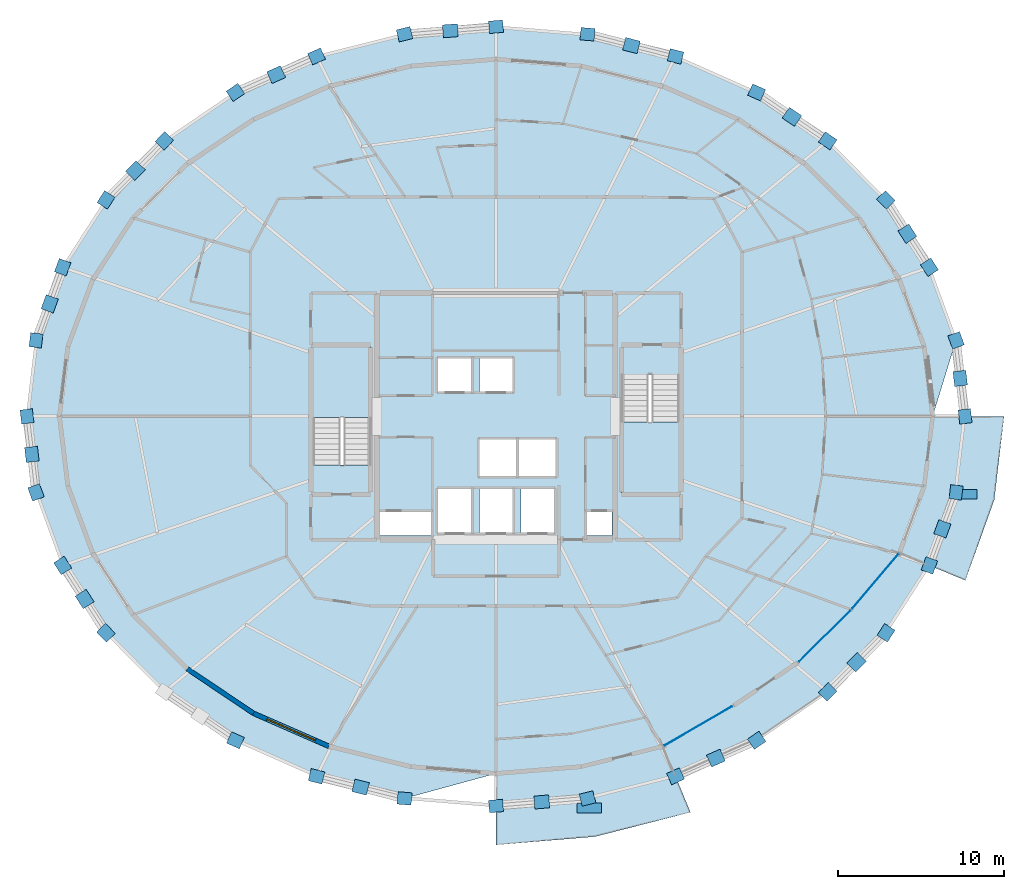
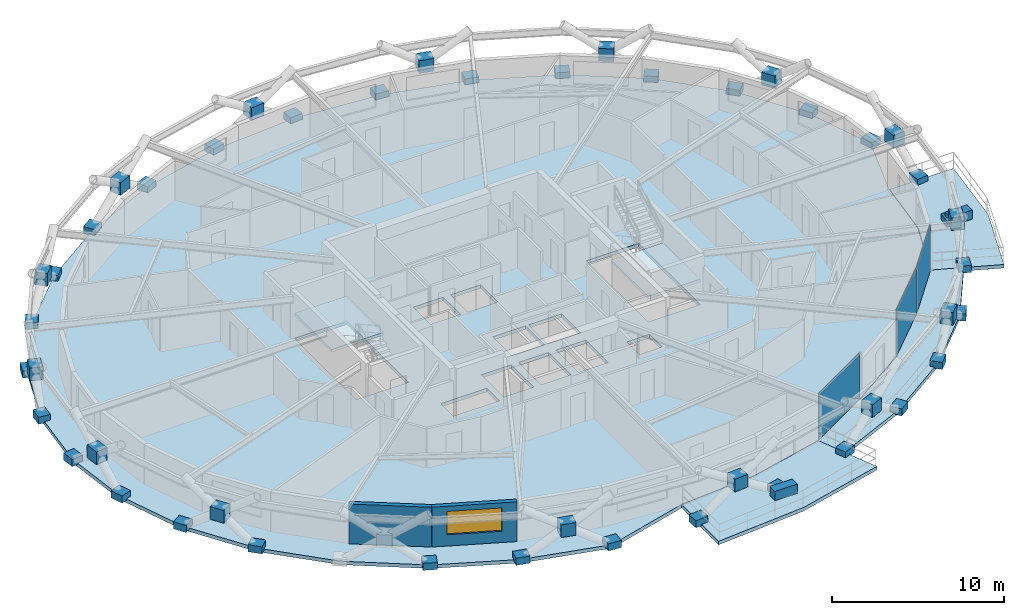
# One storey, part 8 of 14: 51 plates, 6 slabs, 2 walls, 1 window, 1 opening, 4 elements without a shape of their own.
"""IFC4 building model written with IfcOpenShell, lengths in metres."""

from ifc_helpers import new_model, si_unit, direction, frame, frame_2d, origin, origin_2d, place, context, subcontext, project, spatial, polyline, rectangle, outline, extrude, material, layer, layer_set, type_object, element, fill, aggregate, save


model = new_model("IFC4")

# Units and contexts
model_context = context("Model", 3, precision=1e-05, world=origin(), true_north=direction((0.0, 1.0)))
body_context = subcontext(model_context, "Body", "Model", "MODEL_VIEW")
ifc_project = project(units=[si_unit("LENGTHUNIT", "METRE"), si_unit("AREAUNIT", "SQUARE_METRE"), si_unit("VOLUMEUNIT", "CUBIC_METRE"), si_unit("PLANEANGLEUNIT", "RADIAN"), si_unit("MASSUNIT", "GRAM", prefix="KILO")], contexts=[model_context])

# Site, building, storey
site_placement = place(None, origin())
site = spatial("IfcSite", under=ifc_project, at=site_placement, CompositionType="ELEMENT")
building_placement = place(site_placement, origin())
building = spatial("IfcBuilding", under=site, at=building_placement, Name="Veldorina Hangang Commons", CompositionType="ELEMENT")
storey_placement = place(building_placement, frame((0.0, 0.0, 149.60009765625)))
storey = spatial("IfcBuildingStorey", under=building, at=storey_placement, Name="L38", CompositionType="ELEMENT", Elevation=149.60009765625)

# Curtain wall, plate
ifc_material_1 = material(Name="Glass Low-E Triple IGU", Category="glass")
ifc_layer_1 = layer(ifc_material_1, 0.179931640625)
ifc_layer_set_1 = layer_set([ifc_layer_1], Name="Glass Low-E Triple IGU")
curtain_wall_type = type_object("IfcCurtainWallType", Name="CW-SYS-Z2", PredefinedType="NOTDEFINED", material=ifc_layer_set_1)
curtain_wall_1_placement = place(storey_placement, origin())
curtain_wall_1 = element("IfcCurtainWall", 1, at=curtain_wall_1_placement, inside=storey, type_object=curtain_wall_type, Name="L38 unitised curtain wall CW-L38-R1", PredefinedType="NOTDEFINED")
ifc_layer_2 = layer(ifc_material_1, 0.0400390625)
ifc_layer_set_2 = layer_set([ifc_layer_2], Name="Glass Low-E Triple IGU")
plate_type_1 = type_object("IfcPlateType", Name="CW-PNL-VIS", PredefinedType="CURTAIN_PANEL", material=ifc_layer_set_2)
plate_1_placement = place(storey_placement, frame((44.21337890625, 5.30322265625, 0.0146484375), z_axis=(0.0, 0.0, 1.0), x_axis=(0.865440126505, 0.501012362557, 0.0)))
plate_1 = element("IfcPlate", 2, at=plate_1_placement, type_object=plate_type_1, Name="CW-L38-R1 facet 1 glazed vision panel", PredefinedType="CURTAIN_PANEL", context=body_context, shape_type="SweptSolid", body=[
    extrude(rectangle(XDim=4.727294921875, YDim=0.0400390625, at=origin_2d()), origin(), (0.0, 0.0, 1.0), 3.280029296875),
])
aggregate(curtain_wall_1, [plate_1])

# Curtain wall, plates
curtain_wall_2_placement = place(storey_placement, origin())
curtain_wall_2 = element("IfcCurtainWall", 3, at=curtain_wall_2_placement, inside=storey, type_object=curtain_wall_type, Name="L38 unitised curtain wall CW-L38-R2", PredefinedType="NOTDEFINED")
plate_2_placement = place(storey_placement, frame((51.85205078125, 10.73681640625, 0.0146484375), z_axis=(0.0, 0.0, 1.0), x_axis=(0.709939584863, 0.704262583022, 0.0)))
plate_2 = element("IfcPlate", 4, at=plate_2_placement, type_object=plate_type_1, Name="CW-L38-R2 facet 1 glazed vision panel", PredefinedType="CURTAIN_PANEL", context=body_context, shape_type="SweptSolid", body=[
    extrude(rectangle(XDim=4.34033203125, YDim=0.0400390625, at=origin_2d()), origin(), (0.0, 0.0, 1.0), 3.280029296875),
])
plate_3_placement = place(storey_placement, frame((54.90771484375, 14.037353515625, 0.0146484375), z_axis=(0.0, 0.0, 1.0), x_axis=(0.647268850452, 0.762261789174, 0.0)))
plate_3 = element("IfcPlate", 5, at=plate_3_placement, type_object=plate_type_1, Name="CW-L38-R2 facet 2 glazed vision panel", PredefinedType="CURTAIN_PANEL", context=body_context, shape_type="SweptSolid", body=[
    extrude(rectangle(XDim=4.3037109375, YDim=0.0400390625, at=origin_2d()), origin(), (0.0, 0.0, 1.0), 3.280029296875),
])
aggregate(curtain_wall_2, [plate_2, plate_3])

# Plates
ifc_material_2 = material(Name="Steel SM460-TMC", Category="steel")
ifc_layer_3 = layer(ifc_material_2, 0.035888671875)
ifc_layer_set_3 = layer_set([ifc_layer_3], Name="Steel SM460-TMC")
plate_type_2 = type_object("IfcPlateType", Name="PL-STAR-36", PredefinedType="USERDEFINED", material=ifc_layer_set_3)
plate_4_placement = place(storey_placement, frame((60.32568359375, 24.0, -0.090087890625), z_axis=(0.0, 0.0, 1.0), x_axis=(-0.117762714516, 0.993041763004, 0.0)))
element("IfcPlate", 6, at=plate_4_placement, inside=storey, type_object=plate_type_2, Name="L38 diagrid star-node gusset plate 00", ObjectType="GUSSET PLATE", PredefinedType="USERDEFINED", context=body_context, shape_type="SweptSolid", body=[
    extrude(rectangle(XDim=0.85009765625, YDim=0.75, at=origin_2d()), origin(), (0.0, 0.0, 1.0), 0.5),
])
plate_5_placement = place(storey_placement, frame((60.03125, 26.29345703125, 1.35107421875), z_axis=(0.0, 0.0, 1.0), x_axis=(-0.117762714516, 0.993041763004, 0.0)))
element("IfcPlate", 7, at=plate_5_placement, inside=storey, type_object=plate_type_2, Name="L38 diagrid X-crossing star-node gusset plate 00", ObjectType="GUSSET PLATE", PredefinedType="USERDEFINED", context=body_context, shape_type="SweptSolid", body=[
    extrude(rectangle(XDim=0.89990234375, YDim=0.780029296875, at=origin_2d()), origin(), (0.0, 0.0, 1.0), 0.89990234375),
])
for number, where, z_axis, x_axis, name in (
    (8, (59.781494140625, 28.590087890625, -0.090087890625), (0.0, 0.0, 1.0), (-0.343036788155, 0.93932196928, 0.0), "L38 diagrid star-node gusset plate 01"),
    (9, (58.169677734375, 33.00390625, -0.090087890625), (0.0, 0.0, 1.0), (-0.541150606301, 0.840925693091, 0.0), "L38 diagrid star-node gusset plate 02"),
):
    element("IfcPlate", number, at=place(storey_placement, frame(where, z_axis=z_axis, x_axis=x_axis)), inside=storey, type_object=plate_type_2, Name=name, ObjectType="GUSSET PLATE", PredefinedType="USERDEFINED", context=body_context, shape_type="SweptSolid", body=[
        extrude(rectangle(XDim=0.85009765625, YDim=0.75, at=origin_2d()), origin(), (0.0, 0.0, 1.0), 0.5),
    ])
plate_6_placement = place(storey_placement, frame((56.841064453125, 35.0302734375, 1.351318359375), z_axis=(0.0, 0.0, 1.0), x_axis=(-0.541150606301, 0.840925693091, 0.0)))
element("IfcPlate", 10, at=plate_6_placement, inside=storey, type_object=plate_type_2, Name="L38 diagrid X-crossing star-node gusset plate 02", ObjectType="GUSSET PLATE", PredefinedType="USERDEFINED", context=body_context, shape_type="SweptSolid", body=[
    extrude(rectangle(XDim=0.89990234375, YDim=0.780029296875, at=origin_2d()), origin(), (0.0, 0.0, 1.0), 0.89990234375),
])
for number, where, z_axis, x_axis, name in (
    (11, (55.552001953125, 37.071533203125, -0.090087890625), (0.0, 0.0, 1.0), (-0.702836225322, 0.711351699496, 0.0), "L38 diagrid star-node gusset plate 03"),
    (12, (52.029296875, 40.63671875, -0.090087890625), (0.0, 0.0, 1.0), (-0.826285121385, 0.563252073389, 0.0), "L38 diagrid star-node gusset plate 04"),
):
    element("IfcPlate", number, at=place(storey_placement, frame(where, z_axis=z_axis, x_axis=x_axis)), inside=storey, type_object=plate_type_2, Name=name, ObjectType="GUSSET PLATE", PredefinedType="USERDEFINED", context=body_context, shape_type="SweptSolid", body=[
        extrude(rectangle(XDim=0.85009765625, YDim=0.75, at=origin_2d()), origin(), (0.0, 0.0, 1.0), 0.5),
    ])
plate_7_placement = place(storey_placement, frame((49.868896484375, 42.087890625, 1.351318359375), z_axis=(0.0, 0.0, 1.0), x_axis=(-0.826285121385, 0.563252073389, 0.0)))
element("IfcPlate", 13, at=plate_7_placement, inside=storey, type_object=plate_type_2, Name="L38 diagrid X-crossing star-node gusset plate 04", ObjectType="GUSSET PLATE", PredefinedType="USERDEFINED", context=body_context, shape_type="SweptSolid", body=[
    extrude(rectangle(XDim=0.89990234375, YDim=0.780029296875, at=origin_2d()), origin(), (0.0, 0.0, 1.0), 0.89990234375),
])
for number, where, z_axis, x_axis, name in (
    (14, (47.737060546875, 43.562744140625, -0.090087890625), (0.0, 0.0, 1.0), (-0.913970890274, 0.405779757666, 0.0), "L38 diagrid star-node gusset plate 05"),
    (15, (42.83984375, 45.737060546875, -0.090087890625), (0.0, 0.0, 1.0), (-0.969693175592, 0.244325899589, 0.0), "L38 diagrid star-node gusset plate 06"),
):
    element("IfcPlate", number, at=place(storey_placement, frame(where, z_axis=z_axis, x_axis=x_axis)), inside=storey, type_object=plate_type_2, Name=name, ObjectType="GUSSET PLATE", PredefinedType="USERDEFINED", context=body_context, shape_type="SweptSolid", body=[
        extrude(rectangle(XDim=0.85009765625, YDim=0.75, at=origin_2d()), origin(), (0.0, 0.0, 1.0), 0.5),
    ])
plate_8_placement = place(storey_placement, frame((40.176513671875, 46.3916015625, 1.351318359375), z_axis=(0.0, 0.0, 1.0), x_axis=(-0.969693175592, 0.244325899589, 0.0)))
element("IfcPlate", 16, at=plate_8_placement, inside=storey, type_object=plate_type_2, Name="L38 diagrid X-crossing star-node gusset plate 06", ObjectType="GUSSET PLATE", PredefinedType="USERDEFINED", context=body_context, shape_type="SweptSolid", body=[
    extrude(rectangle(XDim=0.89990234375, YDim=0.780029296875, at=origin_2d()), origin(), (0.0, 0.0, 1.0), 0.89990234375),
])
for number, where, z_axis, x_axis, name in (
    (17, (37.526123046875, 47.075927734375, -0.090087890625), (0.0, 0.0, 1.0), (-0.996670198742, 0.08153842615, 0.0), "L38 diagrid star-node gusset plate 07"),
    (18, (32.0, 47.528076171875, -0.090087890625), (0.0, 0.0, 1.0), (-0.996670198742, -0.08153842615, 0.0), "L38 diagrid star-node gusset plate 08"),
):
    element("IfcPlate", number, at=place(storey_placement, frame(where, z_axis=z_axis, x_axis=x_axis)), inside=storey, type_object=plate_type_2, Name=name, ObjectType="GUSSET PLATE", PredefinedType="USERDEFINED", context=body_context, shape_type="SweptSolid", body=[
        extrude(rectangle(XDim=0.85009765625, YDim=0.75, at=origin_2d()), origin(), (0.0, 0.0, 1.0), 0.5),
    ])
plate_9_placement = place(storey_placement, frame((29.2392578125, 47.286376953125, 1.351318359375), z_axis=(0.0, 0.0, 1.0), x_axis=(-0.996670198742, -0.08153842615, 0.0)))
element("IfcPlate", 19, at=plate_9_placement, inside=storey, type_object=plate_type_2, Name="L38 diagrid X-crossing star-node gusset plate 08", ObjectType="GUSSET PLATE", PredefinedType="USERDEFINED", context=body_context, shape_type="SweptSolid", body=[
    extrude(rectangle(XDim=0.89990234375, YDim=0.780029296875, at=origin_2d()), origin(), (0.0, 0.0, 1.0), 0.89990234375),
])
for number, where, z_axis, x_axis, name in (
    (20, (26.473876953125, 47.075927734375, -0.090087890625), (0.0, 0.0, 1.0), (-0.969693175592, -0.244325899589, 0.0), "L38 diagrid star-node gusset plate 09"),
    (21, (21.16015625, 45.737060546875, -0.090087890625), (0.0, 0.0, 1.0), (-0.913970890274, -0.405779757666, 0.0), "L38 diagrid star-node gusset plate 10"),
):
    element("IfcPlate", number, at=place(storey_placement, frame(where, z_axis=z_axis, x_axis=x_axis)), inside=storey, type_object=plate_type_2, Name=name, ObjectType="GUSSET PLATE", PredefinedType="USERDEFINED", context=body_context, shape_type="SweptSolid", body=[
        extrude(rectangle(XDim=0.85009765625, YDim=0.75, at=origin_2d()), origin(), (0.0, 0.0, 1.0), 0.5),
    ])
plate_10_placement = place(storey_placement, frame((18.722412109375, 44.635986328125, 1.351318359375), z_axis=(0.0, 0.0, 1.0), x_axis=(-0.913970890274, -0.405779757666, 0.0)))
element("IfcPlate", 22, at=plate_10_placement, inside=storey, type_object=plate_type_2, Name="L38 diagrid X-crossing star-node gusset plate 10", ObjectType="GUSSET PLATE", PredefinedType="USERDEFINED", context=body_context, shape_type="SweptSolid", body=[
    extrude(rectangle(XDim=0.89990234375, YDim=0.780029296875, at=origin_2d()), origin(), (0.0, 0.0, 1.0), 0.89990234375),
])
for number, where, z_axis, x_axis, name in (
    (23, (16.262939453125, 43.562744140625, -0.090087890625), (0.0, 0.0, 1.0), (-0.826285121385, -0.563252073389, 0.0), "L38 diagrid star-node gusset plate 11"),
    (24, (11.970703125, 40.63671875, -0.090087890625), (0.0, 0.0, 1.0), (-0.702836225322, -0.711351699496, 0.0), "L38 diagrid star-node gusset plate 12"),
):
    element("IfcPlate", number, at=place(storey_placement, frame(where, z_axis=z_axis, x_axis=x_axis)), inside=storey, type_object=plate_type_2, Name=name, ObjectType="GUSSET PLATE", PredefinedType="USERDEFINED", context=body_context, shape_type="SweptSolid", body=[
        extrude(rectangle(XDim=0.85009765625, YDim=0.75, at=origin_2d()), origin(), (0.0, 0.0, 1.0), 0.5),
    ])
plate_11_placement = place(storey_placement, frame((10.226806640625, 38.843994140625, 1.351318359375), z_axis=(0.0, 0.0, 1.0), x_axis=(-0.702836225322, -0.711351699496, 0.0)))
element("IfcPlate", 25, at=plate_11_placement, inside=storey, type_object=plate_type_2, Name="L38 diagrid X-crossing star-node gusset plate 12", ObjectType="GUSSET PLATE", PredefinedType="USERDEFINED", context=body_context, shape_type="SweptSolid", body=[
    extrude(rectangle(XDim=0.89990234375, YDim=0.780029296875, at=origin_2d()), origin(), (0.0, 0.0, 1.0), 0.89990234375),
])
for number, where, z_axis, x_axis, name in (
    (26, (8.447998046875, 37.071533203125, -0.090087890625), (0.0, 0.0, 1.0), (-0.541150606301, -0.840925693091, 0.0), "L38 diagrid star-node gusset plate 13"),
    (27, (5.830322265625, 33.00390625, -0.090087890625), (0.0, 0.0, 1.0), (-0.343036788155, -0.93932196928, 0.0), "L38 diagrid star-node gusset plate 14"),
):
    element("IfcPlate", number, at=place(storey_placement, frame(where, z_axis=z_axis, x_axis=x_axis)), inside=storey, type_object=plate_type_2, Name=name, ObjectType="GUSSET PLATE", PredefinedType="USERDEFINED", context=body_context, shape_type="SweptSolid", body=[
        extrude(rectangle(XDim=0.85009765625, YDim=0.75, at=origin_2d()), origin(), (0.0, 0.0, 1.0), 0.5),
    ])
plate_12_placement = place(storey_placement, frame((5.046142578125, 30.792236328125, 1.35107421875), z_axis=(0.0, 0.0, 1.0), x_axis=(-0.343036788155, -0.93932196928, 0.0)))
element("IfcPlate", 28, at=plate_12_placement, inside=storey, type_object=plate_type_2, Name="L38 diagrid X-crossing star-node gusset plate 14", ObjectType="GUSSET PLATE", PredefinedType="USERDEFINED", context=body_context, shape_type="SweptSolid", body=[
    extrude(rectangle(XDim=0.89990234375, YDim=0.780029296875, at=origin_2d()), origin(), (0.0, 0.0, 1.0), 0.89990234375),
])
for number, where, z_axis, x_axis, name in (
    (29, (4.218505859375, 28.590087890625, -0.090087890625), (0.0, 0.0, 1.0), (-0.117762714516, -0.993041763004, 0.0), "L38 diagrid star-node gusset plate 15"),
    (30, (3.67431640625, 24.0, -0.090087890625), (0.0, 0.0, 1.0), (0.117762714516, -0.993041763004, 0.0), "L38 diagrid star-node gusset plate 16"),
):
    element("IfcPlate", number, at=place(storey_placement, frame(where, z_axis=z_axis, x_axis=x_axis)), inside=storey, type_object=plate_type_2, Name=name, ObjectType="GUSSET PLATE", PredefinedType="USERDEFINED", context=body_context, shape_type="SweptSolid", body=[
        extrude(rectangle(XDim=0.85009765625, YDim=0.75, at=origin_2d()), origin(), (0.0, 0.0, 1.0), 0.5),
    ])
plate_13_placement = place(storey_placement, frame((3.96875, 21.70654296875, 1.35107421875), z_axis=(0.0, 0.0, 1.0), x_axis=(0.117762714516, -0.993041763004, 0.0)))
element("IfcPlate", 31, at=plate_13_placement, inside=storey, type_object=plate_type_2, Name="L38 diagrid X-crossing star-node gusset plate 16", ObjectType="GUSSET PLATE", PredefinedType="USERDEFINED", context=body_context, shape_type="SweptSolid", body=[
    extrude(rectangle(XDim=0.89990234375, YDim=0.780029296875, at=origin_2d()), origin(), (0.0, 0.0, 1.0), 0.89990234375),
])
for number, where, z_axis, x_axis, name in (
    (32, (4.218505859375, 19.409912109375, -0.090087890625), (0.0, 0.0, 1.0), (0.343036788155, -0.93932196928, 0.0), "L38 diagrid star-node gusset plate 17"),
    (33, (5.830322265625, 14.99609375, -0.090087890625), (0.0, 0.0, 1.0), (0.541150606301, -0.840925693091, 0.0), "L38 diagrid star-node gusset plate 18"),
):
    element("IfcPlate", number, at=place(storey_placement, frame(where, z_axis=z_axis, x_axis=x_axis)), inside=storey, type_object=plate_type_2, Name=name, ObjectType="GUSSET PLATE", PredefinedType="USERDEFINED", context=body_context, shape_type="SweptSolid", body=[
        extrude(rectangle(XDim=0.85009765625, YDim=0.75, at=origin_2d()), origin(), (0.0, 0.0, 1.0), 0.5),
    ])
plate_14_placement = place(storey_placement, frame((7.158935546875, 12.9697265625, 1.351318359375), z_axis=(0.0, 0.0, 1.0), x_axis=(0.541150606301, -0.840925693091, 0.0)))
element("IfcPlate", 34, at=plate_14_placement, inside=storey, type_object=plate_type_2, Name="L38 diagrid X-crossing star-node gusset plate 18", ObjectType="GUSSET PLATE", PredefinedType="USERDEFINED", context=body_context, shape_type="SweptSolid", body=[
    extrude(rectangle(XDim=0.89990234375, YDim=0.780029296875, at=origin_2d()), origin(), (0.0, 0.0, 1.0), 0.89990234375),
])
for number, where, z_axis, x_axis, name in (
    (35, (8.447998046875, 10.928466796875, -0.090087890625), (0.0, 0.0, 1.0), (0.702836225322, -0.711351699496, 0.0), "L38 diagrid star-node gusset plate 19"),
    (36, (16.262939453125, 4.437255859375, -0.090087890625), (0.0, 0.0, 1.0), (0.913970890274, -0.405779757666, 0.0), "L38 diagrid star-node gusset plate 21"),
    (37, (21.16015625, 2.262939453125, -0.090087890625), (0.0, 0.0, 1.0), (0.969693175592, -0.244325899589, 0.0), "L38 diagrid star-node gusset plate 22"),
):
    element("IfcPlate", number, at=place(storey_placement, frame(where, z_axis=z_axis, x_axis=x_axis)), inside=storey, type_object=plate_type_2, Name=name, ObjectType="GUSSET PLATE", PredefinedType="USERDEFINED", context=body_context, shape_type="SweptSolid", body=[
        extrude(rectangle(XDim=0.85009765625, YDim=0.75, at=origin_2d()), origin(), (0.0, 0.0, 1.0), 0.5),
    ])
plate_15_placement = place(storey_placement, frame((23.823486328125, 1.6083984375, 1.351318359375), z_axis=(0.0, 0.0, 1.0), x_axis=(0.969693175592, -0.244325899589, 0.0)))
element("IfcPlate", 38, at=plate_15_placement, inside=storey, type_object=plate_type_2, Name="L38 diagrid X-crossing star-node gusset plate 22", ObjectType="GUSSET PLATE", PredefinedType="USERDEFINED", context=body_context, shape_type="SweptSolid", body=[
    extrude(rectangle(XDim=0.89990234375, YDim=0.780029296875, at=origin_2d()), origin(), (0.0, 0.0, 1.0), 0.89990234375),
])
for number, where, z_axis, x_axis, name in (
    (39, (26.473876953125, 0.924072265625, -0.090087890625), (0.0, 0.0, 1.0), (0.996670198742, -0.08153842615, 0.0), "L38 diagrid star-node gusset plate 23"),
    (40, (32.0, 0.471923828125, -0.090087890625), (0.0, 0.0, 1.0), (0.996670198742, 0.08153842615, 0.0), "L38 diagrid star-node gusset plate 24"),
):
    element("IfcPlate", number, at=place(storey_placement, frame(where, z_axis=z_axis, x_axis=x_axis)), inside=storey, type_object=plate_type_2, Name=name, ObjectType="GUSSET PLATE", PredefinedType="USERDEFINED", context=body_context, shape_type="SweptSolid", body=[
        extrude(rectangle(XDim=0.85009765625, YDim=0.75, at=origin_2d()), origin(), (0.0, 0.0, 1.0), 0.5),
    ])
plate_16_placement = place(storey_placement, frame((34.7607421875, 0.713623046875, 1.351318359375), z_axis=(0.0, 0.0, 1.0), x_axis=(0.996670198742, 0.08153842615, 0.0)))
element("IfcPlate", 41, at=plate_16_placement, inside=storey, type_object=plate_type_2, Name="L38 diagrid X-crossing star-node gusset plate 24", ObjectType="GUSSET PLATE", PredefinedType="USERDEFINED", context=body_context, shape_type="SweptSolid", body=[
    extrude(rectangle(XDim=0.89990234375, YDim=0.780029296875, at=origin_2d()), origin(), (0.0, 0.0, 1.0), 0.89990234375),
])
for number, where, z_axis, x_axis, name in (
    (42, (37.526123046875, 0.924072265625, -0.090087890625), (0.0, 0.0, 1.0), (0.969693175592, 0.244325899589, 0.0), "L38 diagrid star-node gusset plate 25"),
    (43, (42.83984375, 2.262939453125, -0.090087890625), (0.0, 0.0, 1.0), (0.913970890274, 0.405779757666, 0.0), "L38 diagrid star-node gusset plate 26"),
):
    element("IfcPlate", number, at=place(storey_placement, frame(where, z_axis=z_axis, x_axis=x_axis)), inside=storey, type_object=plate_type_2, Name=name, ObjectType="GUSSET PLATE", PredefinedType="USERDEFINED", context=body_context, shape_type="SweptSolid", body=[
        extrude(rectangle(XDim=0.85009765625, YDim=0.75, at=origin_2d()), origin(), (0.0, 0.0, 1.0), 0.5),
    ])
plate_17_placement = place(storey_placement, frame((45.277587890625, 3.364013671875, 1.351318359375), z_axis=(0.0, 0.0, 1.0), x_axis=(0.913970890274, 0.405779757666, 0.0)))
element("IfcPlate", 44, at=plate_17_placement, inside=storey, type_object=plate_type_2, Name="L38 diagrid X-crossing star-node gusset plate 26", ObjectType="GUSSET PLATE", PredefinedType="USERDEFINED", context=body_context, shape_type="SweptSolid", body=[
    extrude(rectangle(XDim=0.89990234375, YDim=0.780029296875, at=origin_2d()), origin(), (0.0, 0.0, 1.0), 0.89990234375),
])
for number, where, z_axis, x_axis, name in (
    (45, (47.737060546875, 4.437255859375, -0.090087890625), (0.0, 0.0, 1.0), (0.826285121385, 0.563252073389, 0.0), "L38 diagrid star-node gusset plate 27"),
    (46, (52.029296875, 7.36328125, -0.090087890625), (0.0, 0.0, 1.0), (0.702836225322, 0.711351699496, 0.0), "L38 diagrid star-node gusset plate 28"),
):
    element("IfcPlate", number, at=place(storey_placement, frame(where, z_axis=z_axis, x_axis=x_axis)), inside=storey, type_object=plate_type_2, Name=name, ObjectType="GUSSET PLATE", PredefinedType="USERDEFINED", context=body_context, shape_type="SweptSolid", body=[
        extrude(rectangle(XDim=0.85009765625, YDim=0.75, at=origin_2d()), origin(), (0.0, 0.0, 1.0), 0.5),
    ])
plate_18_placement = place(storey_placement, frame((53.773193359375, 9.156005859375, 1.351318359375), z_axis=(0.0, 0.0, 1.0), x_axis=(0.702836225322, 0.711351699496, 0.0)))
element("IfcPlate", 47, at=plate_18_placement, inside=storey, type_object=plate_type_2, Name="L38 diagrid X-crossing star-node gusset plate 28", ObjectType="GUSSET PLATE", PredefinedType="USERDEFINED", context=body_context, shape_type="SweptSolid", body=[
    extrude(rectangle(XDim=0.89990234375, YDim=0.780029296875, at=origin_2d()), origin(), (0.0, 0.0, 1.0), 0.89990234375),
])
for number, where, z_axis, x_axis, name in (
    (48, (55.552001953125, 10.928466796875, -0.090087890625), (0.0, 0.0, 1.0), (0.541150606301, 0.840925693091, 0.0), "L38 diagrid star-node gusset plate 29"),
    (49, (58.169677734375, 14.99609375, -0.090087890625), (0.0, 0.0, 1.0), (0.343036788155, 0.93932196928, 0.0), "L38 diagrid star-node gusset plate 30"),
):
    element("IfcPlate", number, at=place(storey_placement, frame(where, z_axis=z_axis, x_axis=x_axis)), inside=storey, type_object=plate_type_2, Name=name, ObjectType="GUSSET PLATE", PredefinedType="USERDEFINED", context=body_context, shape_type="SweptSolid", body=[
        extrude(rectangle(XDim=0.85009765625, YDim=0.75, at=origin_2d()), origin(), (0.0, 0.0, 1.0), 0.5),
    ])
plate_19_placement = place(storey_placement, frame((58.953857421875, 17.207763671875, 1.35107421875), z_axis=(0.0, 0.0, 1.0), x_axis=(0.343036788155, 0.93932196928, 0.0)))
element("IfcPlate", 50, at=plate_19_placement, inside=storey, type_object=plate_type_2, Name="L38 diagrid X-crossing star-node gusset plate 30", ObjectType="GUSSET PLATE", PredefinedType="USERDEFINED", context=body_context, shape_type="SweptSolid", body=[
    extrude(rectangle(XDim=0.89990234375, YDim=0.780029296875, at=origin_2d()), origin(), (0.0, 0.0, 1.0), 0.89990234375),
])
plate_20_placement = place(storey_placement, frame((59.781494140625, 19.409912109375, -0.090087890625), z_axis=(0.0, 0.0, 1.0), x_axis=(0.117762714516, 0.993041763004, 0.0)))
element("IfcPlate", 51, at=plate_20_placement, inside=storey, type_object=plate_type_2, Name="L38 diagrid star-node gusset plate 31", ObjectType="GUSSET PLATE", PredefinedType="USERDEFINED", context=body_context, shape_type="SweptSolid", body=[
    extrude(rectangle(XDim=0.85009765625, YDim=0.75, at=origin_2d()), origin(), (0.0, 0.0, 1.0), 0.5),
])
ifc_material_3 = material(Name="Stone Roman Travertine", Category="masonry")
ifc_layer_4 = layer(ifc_material_3, 0.64990234375)
ifc_layer_set_4 = layer_set([ifc_layer_4], Name="Stone Roman Travertine")
plate_type_3 = type_object("IfcPlateType", Name="PLN-TBAL-1800", PredefinedType="USERDEFINED", material=ifc_layer_set_4)
for number, where, z_axis, x_axis, name in (
    (52, (37.62890625, 0.346923828125, 0.0), (0.0, 0.0, 1.0), (1.0, 0.0, 0.0), "L38 TREE BALCONY PLANTER 1"),
    (53, (60.29833984375, 19.295166015625, 0.0), (0.0, 0.0, 1.0), (1.0, 0.0, 0.0), "L38 TREE BALCONY PLANTER 2"),
):
    element("IfcPlate", number, at=place(storey_placement, frame(where, z_axis=z_axis, x_axis=x_axis)), inside=storey, type_object=plate_type_3, Name=name, ObjectType="PLANTER", PredefinedType="USERDEFINED", context=body_context, shape_type="SweptSolid", body=[
        extrude(rectangle(XDim=1.5, YDim=0.60009765625, at=origin_2d()), origin(), (0.0, 0.0, 1.0), 0.64990234375),
    ])

# Slabs
ifc_material_4 = material(Name="Concrete C40/50", Category="concrete")
ifc_layer_5 = layer(ifc_material_4, 0.25)
ifc_layer_set_5 = layer_set([ifc_layer_5], Name="Concrete C40/50")
slab_type_1 = type_object("IfcSlabType", Name="SL-FLR-250", PredefinedType="FLOOR", material=ifc_layer_set_5)
slab_1_placement = place(storey_placement, frame((0.0, 0.0, -0.25)))
element("IfcSlab", 54, at=slab_1_placement, inside=storey, type_object=slab_type_1, Name="L38 tower structural floor slab", PredefinedType="FLOOR", context=body_context, shape_type="SweptSolid", body=[
    extrude(outline(polyline([(58.36572265625, 24.0), (59.781494140625, 28.590087890625), (58.169677734375, 33.00390625), (55.552001953125, 37.071533203125), (52.029296875, 40.63671875), (47.737060546875, 43.562744140625), (42.83984375, 45.737060546875), (37.526123046875, 47.075927734375), (32.0, 47.528076171875), (26.473876953125, 47.075927734375), (21.16015625, 45.737060546875), (16.262939453125, 43.562744140625), (11.970703125, 40.63671875), (8.447998046875, 37.071533203125), (5.830322265625, 33.00390625), (4.218505859375, 28.590087890625), (3.67431640625, 24.0), (4.218505859375, 19.409912109375), (5.830322265625, 14.99609375), (8.447998046875, 10.928466796875), (11.970703125, 7.36328125), (16.262939453125, 4.437255859375), (21.16015625, 2.262939453125), (26.473876953125, 0.924072265625), (32.0, 2.431884765625), (37.143798828125, 2.846435546875), (42.08984375, 4.07373046875), (46.3369140625, 6.532470703125), (50.24755859375, 9.14501953125), (53.456787109375, 12.32861328125), (56.35888671875, 15.746337890625), (57.859130859375, 19.792236328125), (58.36572265625, 24.0)]), holes=[polyline([(20.949951171875, 21.05810546875), (20.949951171875, 28.199951171875), (24.449951171875, 28.199951171875), (24.449951171875, 21.05810546875), (20.949951171875, 21.05810546875)]), polyline([(43.050048828125, 26.5419921875), (43.050048828125, 19.39990234375), (39.550048828125, 19.39990234375), (39.550048828125, 26.5419921875), (43.050048828125, 26.5419921875)]), polyline([(28.5, 27.5), (30.5, 27.5), (30.5, 25.5), (28.5, 25.5), (28.5, 27.5)]), polyline([(31.0, 27.5), (33.0, 27.5), (33.0, 25.5), (31.0, 25.5), (31.0, 27.5)]), polyline([(31.0, 22.60009765625), (33.199951171875, 22.60009765625), (33.199951171875, 20.39990234375), (31.0, 20.39990234375), (31.0, 22.60009765625)]), polyline([(33.39990234375, 22.60009765625), (35.60009765625, 22.60009765625), (35.60009765625, 20.39990234375), (33.39990234375, 20.39990234375), (33.39990234375, 22.60009765625)]), polyline([(28.5, 19.60009765625), (30.5, 19.60009765625), (30.5, 17.0), (28.5, 17.0), (28.5, 19.60009765625)]), polyline([(31.0, 19.60009765625), (33.0, 19.60009765625), (33.0, 17.0), (31.0, 17.0), (31.0, 19.60009765625)]), polyline([(33.5, 19.60009765625), (35.5, 19.60009765625), (35.5, 17.0), (33.5, 17.0), (33.5, 19.60009765625)]), polyline([(25.0, 18.25), (28.10009765625, 18.25), (28.10009765625, 16.800048828125), (25.0, 16.800048828125), (25.0, 18.25)]), polyline([(37.449951171875, 18.25), (39.0, 18.25), (39.0, 16.800048828125), (37.449951171875, 16.800048828125), (37.449951171875, 18.25)])]), origin(), (0.0, 0.0, 1.0), 0.25),
])
slab_2_placement = place(storey_placement, frame((0.0, 0.0, -0.25)))
element("IfcSlab", 55, at=slab_2_placement, inside=storey, type_object=slab_type_1, Name="L38 sky-garden loggia outdoor slab", PredefinedType="FLOOR", context=body_context, shape_type="SweptSolid", body=[
    extrude(outline(polyline([(58.169677734375, 14.99609375), (55.552001953125, 10.928466796875), (52.029296875, 7.36328125), (47.737060546875, 4.437255859375), (42.83984375, 2.262939453125), (42.095458984375, 4.06005859375), (42.09619140625, 4.060302734375), (42.097412109375, 4.060791015625), (46.344482421875, 6.51953125), (46.34521484375, 6.52001953125), (50.255859375, 9.132568359375), (50.257080078125, 9.133544921875), (50.258056640625, 9.134521484375), (53.46728515625, 12.318115234375), (53.468017578125, 12.31884765625), (56.3701171875, 15.736572265625), (56.37109375, 15.737548828125), (56.37158203125, 15.73876953125), (56.372314453125, 15.739990234375), (56.37255859375, 15.740478515625), (58.169677734375, 14.99609375)])), origin(), (0.0, 0.0, 1.0), 0.25),
])
slab_3_placement = place(storey_placement, frame((0.0, 0.0, -0.25)))
element("IfcSlab", 56, at=slab_3_placement, inside=storey, type_object=slab_type_1, Name="L38 planted tree balcony slab 1", PredefinedType="FLOOR", context=body_context, shape_type="SweptSolid", body=[
    extrude(outline(polyline([(37.147705078125, 2.826904296875), (42.097412109375, 4.055419921875), (43.739013671875, 0.091796875), (37.984619140625, -1.380859375), (32.0, -1.8779296875), (32.0, 2.412109375), (37.147705078125, 2.826904296875)])), origin(), (0.0, 0.0, 1.0), 0.25),
])
slab_4_placement = place(storey_placement, frame((0.0, 0.0, -0.25)))
element("IfcSlab", 57, at=slab_4_placement, inside=storey, type_object=slab_type_1, Name="L38 planted tree balcony slab 2", PredefinedType="FLOOR", context=body_context, shape_type="SweptSolid", body=[
    extrude(outline(polyline([(57.87890625, 19.788330078125), (58.3857421875, 24.0), (62.67578125, 24.0), (62.08642578125, 18.951416015625), (60.3408203125, 14.096923828125), (56.377197265625, 15.738525390625), (57.87890625, 19.788330078125)])), origin(), (0.0, 0.0, 1.0), 0.25),
])

# Stair, slab
stair_type = type_object("IfcStairType", Name="STR-DOG-1650-20R", PredefinedType="HALF_TURN_STAIR", material=ifc_material_4)
stair_1_placement = place(storey_placement, origin())
stair_1 = element("IfcStair", 58, at=stair_1_placement, inside=storey, type_object=stair_type, Name="L38 Exit stair ST-1", PredefinedType="HALF_TURN_STAIR")
ifc_layer_6 = layer(ifc_material_4, 0.199951171875)
ifc_layer_set_6 = layer_set([ifc_layer_6], Name="Concrete C40/50")
slab_type_2 = type_object("IfcSlabType", Name="SL-LND-200", PredefinedType="LANDING", material=ifc_layer_set_6)
slab_5_placement = place(storey_placement, frame((0.0, 0.0, 1.599853515625)))
slab_5 = element("IfcSlab", 59, at=slab_5_placement, type_object=slab_type_2, Name="ST-1 landing 1", PredefinedType="LANDING", context=body_context, shape_type="SweptSolid", body=[
    extrude(outline(polyline([(24.449951171875, 23.929931640625), (24.449951171875, 28.199951171875), (20.949951171875, 28.199951171875), (20.949951171875, 23.929931640625), (24.449951171875, 23.929931640625)])), origin(), (0.0, 0.0, 1.0), 0.199951171875),
])
aggregate(stair_1, [slab_5])

stair_2_placement = place(storey_placement, origin())
stair_2 = element("IfcStair", 60, at=stair_2_placement, inside=storey, type_object=stair_type, Name="L38 Exit stair ST-2", PredefinedType="HALF_TURN_STAIR")
slab_6_placement = place(storey_placement, frame((0.0, 0.0, 1.599853515625)))
slab_6 = element("IfcSlab", 61, at=slab_6_placement, type_object=slab_type_2, Name="ST-2 landing 1", PredefinedType="LANDING", context=body_context, shape_type="SweptSolid", body=[
    extrude(outline(polyline([(39.550048828125, 23.669921875), (39.550048828125, 19.39990234375), (43.050048828125, 19.39990234375), (43.050048828125, 23.669921875), (39.550048828125, 23.669921875)])), origin(), (0.0, 0.0, 1.0), 0.199951171875),
])
aggregate(stair_2, [slab_6])

# Wall
ifc_layer_7 = layer(ifc_material_3, 0.280029296875)
ifc_layer_set_7 = layer_set([ifc_layer_7], Name="Stone Roman Travertine")
wall_type = type_object("IfcWallType", Name="EW-TRAV-280", PredefinedType="STANDARD", material=ifc_layer_set_7)
wall_1_placement = place(storey_placement, frame((13.356689453125, 8.7490234375, 0.0), z_axis=(0.0, 0.0, 1.0), x_axis=(0.830250648056, -0.557390223634, 0.0)))
element("IfcWall", 62, at=wall_1_placement, inside=storey, type_object=wall_type, Name="L38 travertine facade wall 20", PredefinedType="STANDARD", context=body_context, shape_type="SweptSolid", body=[
    extrude(rectangle(XDim=4.81201171875, YDim=0.280029296875, at=frame_2d((2.406005859375, 0.0))), origin(), (0.0, 0.0, 1.0), 2.81982421875),
])

# Wall, opening, window
wall_2_placement = place(storey_placement, frame((17.351806640625, 6.06689453125, 0.0), z_axis=(0.0, 0.0, 1.0), x_axis=(0.916239532795, -0.400630900634, 0.0)))
wall_2 = element("IfcWall", 63, at=wall_2_placement, inside=storey, type_object=wall_type, Name="L38 travertine facade wall 21", PredefinedType="STANDARD", context=body_context, shape_type="SweptSolid", body=[
    extrude(rectangle(XDim=4.97509765625, YDim=0.280029296875, at=frame_2d((2.487548828125, 0.0))), origin(), (0.0, 0.0, 1.0), 2.81982421875),
])
opening_placement = place(wall_2_placement, frame((0.887451171875, 0.0, 0.800048828125)))
opening = element("IfcOpeningElement", 64, at=opening_placement, cuts=wall_2, Name="Opening W-01", PredefinedType="OPENING", context=body_context, shape_type="SweptSolid", body=[
    extrude(rectangle(XDim=3.199951171875, YDim=1.64990234375, at=frame_2d((1.60009765625, 0.824951171875))), frame((0.0, 0.14990234375, 0.0), z_axis=(0.0, -1.0, 0.0), x_axis=(1.0, 0.0, 0.0)), (0.0, 0.0, 1.0), 0.300048828125),
])
window_type = type_object("IfcWindowType", Name="WIN-TWR-3200", PartitioningType="SINGLE_PANEL", PredefinedType="WINDOW", material=ifc_material_1)
window_placement = place(opening_placement, origin())
window = element("IfcWindow", 65, at=window_placement, inside=storey, type_object=window_type, Name="L38 facade window 21", OverallHeight=1.64990234375, OverallWidth=3.199951171875, PartitioningType="SINGLE_PANEL", PredefinedType="WINDOW", context=body_context, shape_type="SweptSolid", body=[
    extrude(rectangle(XDim=3.199951171875, YDim=1.64990234375, at=frame_2d((1.60009765625, 0.824951171875))), frame((0.0, 0.030029296875, 0.0), z_axis=(0.0, -1.0, 0.0), x_axis=(1.0, 0.0, 0.0)), (0.0, 0.0, 1.0), 0.06005859375),
])
fill(opening, window)

save(model, "model.ifc")
